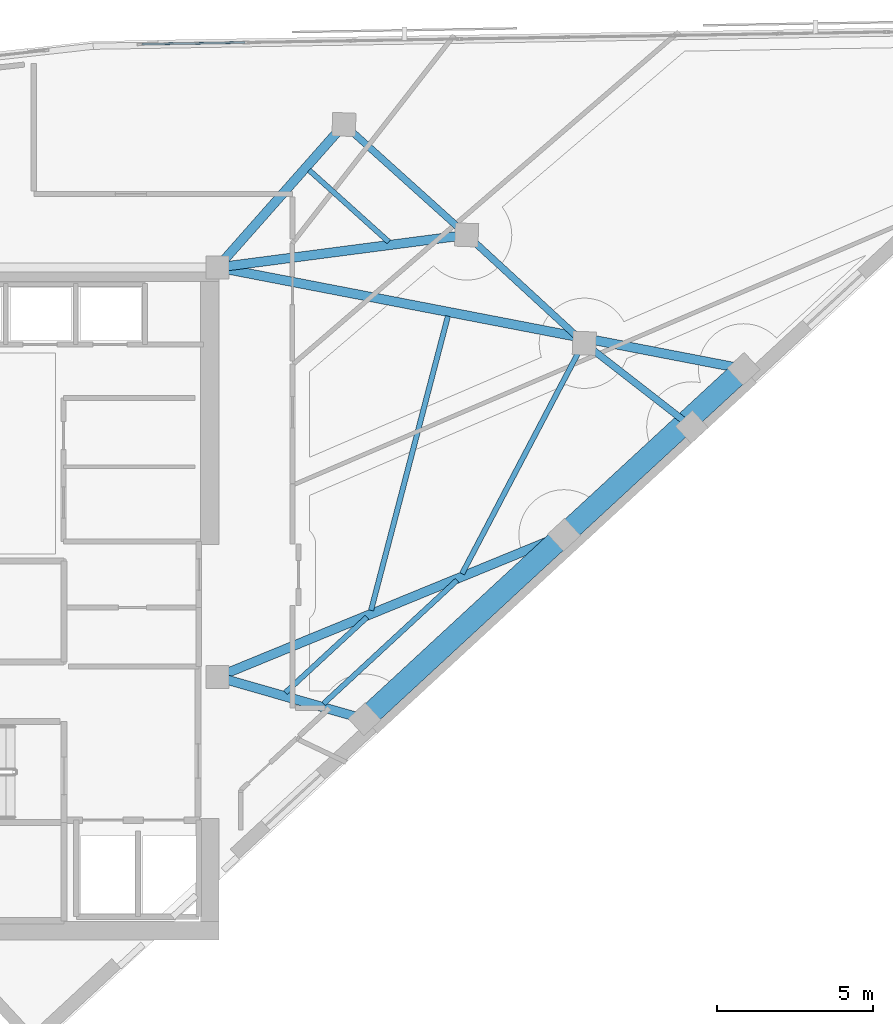
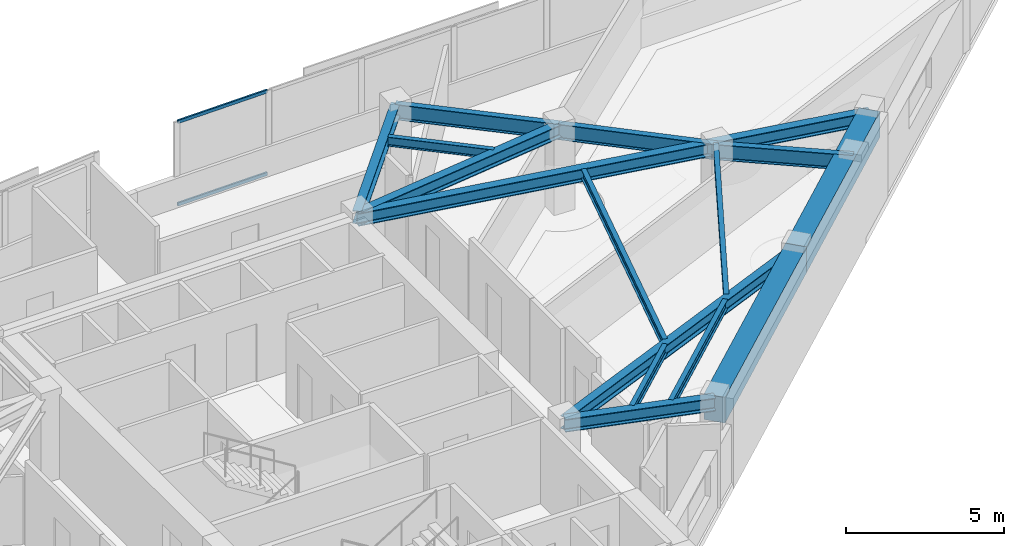
# One storey, part 4 of 13: 15 beams, 2 members, 1 element without a shape of its own.
"""IFC4 building model written with IfcOpenShell, lengths in metres."""

import ifcopenshell
import ifcopenshell.guid

model = None  # the IFC model being written
_history = None  # IfcOwnerHistory: only IFC2X3 demands one
_inside = {}  # id of a spatial element -> (the spatial element, [elements in it])
_under = {}  # id of a project, library or spatial element -> (it, [spatial elements below it])
_declared = {}  # id of a project -> (the project, [libraries it declares])
_typed = {}  # id of a type object -> (the type object, [elements of that type])
_made_of = {}  # id of a material, layer set ... -> (it, [elements and type objects made of it])


def new_model(schema):
    """Start an empty IFC model of exactly this schema.

    Asked for "IFC4X3", IfcOpenShell would pick the latest addendum, in which some entities
    have other attributes; the version numbers below select the first issue.
    IFC2X3 requires an IfcOwnerHistory on every rooted entity: one is made here for all.
    """
    global model, _history
    if schema == "IFC4X3":
        model = ifcopenshell.file(schema_version=(4, 3, 0, 0))
    else:
        model = ifcopenshell.file(schema=schema)
    _inside.clear()
    _under.clear()
    _declared.clear()
    _typed.clear()
    _made_of.clear()
    _history = None
    if model.schema == "IFC2X3":
        org = make("IfcOrganization", Name="unknown")
        user = make(
            "IfcPersonAndOrganization",
            ThePerson=make("IfcPerson", FamilyName="unknown"),
            TheOrganization=org,
        )
        app = make(
            "IfcApplication",
            ApplicationDeveloper=org,
            Version="unknown",
            ApplicationFullName="unknown",
            ApplicationIdentifier="unknown",
        )
        _history = make(
            "IfcOwnerHistory",
            OwningUser=user,
            OwningApplication=app,
            ChangeAction="ADDED",
            CreationDate=0,
        )
    return model


def make(cls, **values):
    """One entity of the class cls with the attributes given. An attribute that is None is left unset."""
    return model.create_entity(
        cls, **{name: value for name, value in values.items() if value is not None}
    )


def rooted(cls, **values):
    """An entity with a GlobalId (a new one), such as an element, a storey or a relation."""
    return make(cls, GlobalId=ifcopenshell.guid.new(), OwnerHistory=_history, **values)


def si_unit(unit_type, name, prefix=None):
    """IfcSIUnit, for example si_unit("LENGTHUNIT", "METRE", prefix="MILLI")."""
    return make("IfcSIUnit", UnitType=unit_type, Prefix=prefix, Name=name)


def assignment(units):
    """IfcUnitAssignment: the units of a project."""
    return None if units is None else make("IfcUnitAssignment", Units=units)


def point(xyz):
    """IfcCartesianPoint."""
    return None if xyz is None else make("IfcCartesianPoint", Coordinates=xyz)


def direction(xyz):
    """IfcDirection."""
    return None if xyz is None else make("IfcDirection", DirectionRatios=xyz)


def frame(location, z_axis=None, x_axis=None):
    """IfcAxis2Placement3D, a coordinate frame: its origin and axes. An axis left out is left unset."""
    return make(
        "IfcAxis2Placement3D",
        Location=point(location),
        Axis=direction(z_axis),
        RefDirection=direction(x_axis),
    )


def frame_2d(location, x_axis=None):
    """IfcAxis2Placement2D, a coordinate frame in the plane: its origin and x axis."""
    return make(
        "IfcAxis2Placement2D", Location=point(location), RefDirection=direction(x_axis)
    )


def origin():
    """The frame at (0, 0, 0) with its axes left unset."""
    return frame((0.0, 0.0, 0.0))


def origin_2d():
    """The frame at (0, 0) in the plane with its x axis left unset."""
    return frame_2d((0.0, 0.0))


def place(relative_to, where):
    """IfcLocalPlacement: puts the frame where relative to a parent placement (None: the world)."""
    return make(
        "IfcLocalPlacement", PlacementRelTo=relative_to, RelativePlacement=where
    )


def context(
    kind, dimensions, precision=None, world=None, true_north=None, identifier=None
):
    """IfcGeometricRepresentationContext, for example the 3D "Model" context."""
    return make(
        "IfcGeometricRepresentationContext",
        ContextIdentifier=identifier,
        ContextType=kind,
        CoordinateSpaceDimension=dimensions,
        Precision=precision,
        WorldCoordinateSystem=world,
        TrueNorth=true_north,
    )


def subcontext(parent, identifier, kind, view, scale=None):
    """IfcGeometricRepresentationSubContext, for example "Body" below "Model"."""
    return make(
        "IfcGeometricRepresentationSubContext",
        ContextIdentifier=identifier,
        ContextType=kind,
        ParentContext=parent,
        TargetScale=scale,
        TargetView=view,
    )


def project(units=None, contexts=None):
    """IfcProject with its units and contexts."""
    return rooted(
        "IfcProject",
        Name="project",
        RepresentationContexts=contexts,
        UnitsInContext=assignment(units),
    )


def spatial(cls, under=None, at=None, **own):
    """A site, building, storey or space (cls), placed at a placement, below another one or the project."""
    s = rooted(cls, ObjectPlacement=at, **own)
    if under is not None:
        _under.setdefault(under.id(), (under, []))[1].append(s)
    return s


def profile(cls, at=None, kind="AREA", **sizes):
    """A parametric profile (cls). Its sizes go by their IFC names, for example OverallWidth=200.0."""
    return make(cls, ProfileType=kind, Position=at, **sizes)


def rectangle(**sizes):
    """IfcRectangleProfileDef."""
    return profile("IfcRectangleProfileDef", **sizes)


def hollow_rectangle(**sizes):
    """IfcRectangleHollowProfileDef."""
    return profile("IfcRectangleHollowProfileDef", **sizes)


def i_section(**sizes):
    """IfcIShapeProfileDef."""
    return profile("IfcIShapeProfileDef", **sizes)


def extrude(swept, where, along, depth):
    """IfcExtrudedAreaSolid: the profile swept, set in the frame where, extruded along a direction by depth."""
    return make(
        "IfcExtrudedAreaSolid",
        SweptArea=swept,
        Position=where,
        ExtrudedDirection=direction(along),
        Depth=depth,
    )


def shape(context_of_items, identifier, shape_type, items):
    """IfcShapeRepresentation: the items that make up one representation, for example the "Body"."""
    return make(
        "IfcShapeRepresentation",
        ContextOfItems=context_of_items,
        RepresentationIdentifier=identifier,
        RepresentationType=shape_type,
        Items=items,
    )


def material(Name=None, Category=None):
    """IfcMaterial."""
    return make("IfcMaterial", Name=Name, Category=Category)


def material_profile(
    of_material, cross_section, Name=None, Category=None, Priority=None
):
    """IfcMaterialProfile: a cross section and its material."""
    return make(
        "IfcMaterialProfile",
        Name=Name,
        Material=of_material,
        Profile=cross_section,
        Priority=Priority,
        Category=Category,
    )


def profile_set(profiles, Name=None, composite=None):
    """IfcMaterialProfileSet."""
    return make(
        "IfcMaterialProfileSet",
        Name=Name,
        MaterialProfiles=profiles,
        CompositeProfile=composite,
    )


def made_of(thing, what):
    """Note that an element or type object is made of a material, layer set ...; save() writes the relation."""
    if what is not None:
        _made_of.setdefault(what.id(), (what, []))[1].append(thing)
    return thing


def type_object(cls, material=None, **own):
    """A type object (cls), such as IfcWallType, which elements share."""
    return made_of(rooted(cls, **own), material)


def element(
    cls,
    number,
    at=None,
    inside=None,
    cuts=None,
    type_object=None,
    material=None,
    context=None,
    identifier="Body",
    shape_type=None,
    held_by="IfcProductDefinitionShape",
    body=None,
    shapes=None,
    **own,
):
    """One element of the class cls, such as IfcWall. Its Tag is "e" and its number.

    at: its placement. inside: the storey or other place that contains it. cuts: it is an
    opening in that element (IfcRelVoidsElement). A single representation is given by context,
    identifier, shape_type and body (its items); several are given by shapes. held_by: the class
    of the entity that holds the representations. save() writes the other relations.
    """
    e = rooted(cls, Tag="e%d" % number, ObjectPlacement=at, **own)
    if body is not None:
        shapes = [shape(context, identifier, shape_type, body)]
    if shapes is not None:
        e.Representation = make(held_by, Representations=shapes)
    if inside is not None:
        _inside.setdefault(inside.id(), (inside, []))[1].append(e)
    if cuts is not None:
        rooted(
            "IfcRelVoidsElement", RelatingBuildingElement=cuts, RelatedOpeningElement=e
        )
    if type_object is not None:
        _typed.setdefault(type_object.id(), (type_object, []))[1].append(e)
    return made_of(e, material)


def aggregate(whole, parts):
    """IfcRelAggregates: a whole, such as a stair, and the parts it consists of."""
    return rooted("IfcRelAggregates", RelatingObject=whole, RelatedObjects=parts)


def save(model, path):
    """Write the relations noted so far, then the file.

    IfcRelAggregates (storeys below a building ...), IfcRelContainedInSpatialStructure (elements
    in a storey), IfcRelDefinesByType, IfcRelAssociatesMaterial and IfcRelDeclares: one each for
    every whole, place, type object, material and project.
    """
    for whole, parts in _under.values():
        aggregate(whole, parts)
    for where, things in _inside.values():
        rooted(
            "IfcRelContainedInSpatialStructure",
            RelatedElements=things,
            RelatingStructure=where,
        )
    for kind, things in _typed.values():
        rooted("IfcRelDefinesByType", RelatedObjects=things, RelatingType=kind)
    for what, things in _made_of.values():
        rooted("IfcRelAssociatesMaterial", RelatedObjects=things, RelatingMaterial=what)
    for by, libraries in _declared.values():
        rooted("IfcRelDeclares", RelatingContext=by, RelatedDefinitions=libraries)
    model.write(path)


model = new_model("IFC4")

# Units and contexts
model_context = context("Model", 3, precision=1e-05, world=origin(), true_north=direction((0.0, 1.0)))
body_context = subcontext(model_context, "Body", "Model", "MODEL_VIEW")
ifc_project = project(units=[si_unit("LENGTHUNIT", "METRE"), si_unit("AREAUNIT", "SQUARE_METRE"), si_unit("VOLUMEUNIT", "CUBIC_METRE"), si_unit("PLANEANGLEUNIT", "RADIAN"), si_unit("MASSUNIT", "GRAM", prefix="KILO")], contexts=[model_context])

# Site, building, storey
site_placement = place(None, origin())
site = spatial("IfcSite", under=ifc_project, at=site_placement, CompositionType="ELEMENT")
building_placement = place(site_placement, origin())
building = spatial("IfcBuilding", under=site, at=building_placement, Name="Narakoshi Arena Tower", CompositionType="ELEMENT")
storey_placement = place(building_placement, frame((0.0, 0.0, 264.260009765625)))
storey = spatial("IfcBuildingStorey", under=building, at=storey_placement, Name="L72", CompositionType="ELEMENT", Elevation=264.260009765625)

# Beams
ifc_material_1 = material(Name="Concrete C60/75", Category="concrete")
ifc_material_profile_1 = material_profile(ifc_material_1, rectangle(XDim=0.699951171875, YDim=1.0, at=origin_2d()), Name="RCB700x1000")
ifc_profile_set_1 = profile_set([ifc_material_profile_1], Name="Concrete C60/75")
beam_type_1 = type_object("IfcBeamType", Name="BM-CPL-1000", PredefinedType="BEAM", material=ifc_profile_set_1)
beam_1_placement = place(storey_placement, frame((90.2734375, 41.992919921875, 2.760009765625), z_axis=(0.734326819586, 0.678796082809, 0.0), x_axis=(-0.678796082809, 0.734326819586, 0.0)))
element("IfcBeam", 1, at=beam_1_placement, inside=storey, type_object=beam_type_1, Name="L72 Perimeter Edge Girder 01", PredefinedType="BEAM", context=body_context, shape_type="SweptSolid", body=[
    extrude(rectangle(XDim=0.699951171875, YDim=1.0, at=origin_2d()), origin(), (0.0, 0.0, 1.0), 8.72265625),
])
beam_2_placement = place(storey_placement, frame((96.6787109375, 47.913818359375, 2.760009765625), z_axis=(0.734333489286, 0.678788867405, 0.0), x_axis=(-0.678788867405, 0.734333489286, 0.0)))
element("IfcBeam", 2, at=beam_2_placement, inside=storey, type_object=beam_type_1, Name="L72 Perimeter Edge Girder 02", PredefinedType="BEAM", context=body_context, shape_type="SweptSolid", body=[
    extrude(rectangle(XDim=0.699951171875, YDim=1.0, at=origin_2d()), origin(), (0.0, 0.0, 1.0), 7.85009765625),
])
ifc_material_2 = material(Name="Structural steel S355J2", Category="steel")
ifc_material_profile_2 = material_profile(ifc_material_2, i_section(OverallWidth=0.219970703125, OverallDepth=0.60009765625, WebThickness=0.011962890625, FlangeThickness=0.01904296875, FilletRadius=0.02392578125, at=origin_2d()), Name="IPE600")
ifc_profile_set_2 = profile_set([ifc_material_profile_2], Name="Structural steel S355J2")
beam_type_2 = type_object("IfcBeamType", Name="BM-EDGE-600", PredefinedType="BEAM", material=ifc_profile_set_2)
beam_3_placement = place(storey_placement, frame((100.78173828125, 51.379638671875, 2.9599609375), z_axis=(-0.789307135535, 0.613998571491, 0.0), x_axis=(-0.613998571491, -0.789307135535, 0.0)))
element("IfcBeam", 3, at=beam_3_placement, inside=storey, type_object=beam_type_2, Name="L72 Perimeter Edge Girder 04", PredefinedType="BEAM", context=body_context, shape_type="SweptSolid", body=[
    extrude(i_section(OverallWidth=0.219970703125, OverallDepth=0.60009765625, WebThickness=0.011962890625, FlangeThickness=0.01904296875, FilletRadius=0.02392578125, at=origin_2d()), origin(), (0.0, 0.0, 1.0), 4.374267578125),
])
beam_4_placement = place(storey_placement, frame((97.3291015625, 54.0654296875, 2.9599609375), z_axis=(-0.735759504933, 0.677242903914, 0.0), x_axis=(-0.677242903914, -0.735759504933, 0.0)))
element("IfcBeam", 4, at=beam_4_placement, inside=storey, type_object=beam_type_2, Name="L72 Perimeter Edge Girder 05", PredefinedType="BEAM", context=body_context, shape_type="SweptSolid", body=[
    extrude(i_section(OverallWidth=0.219970703125, OverallDepth=0.60009765625, WebThickness=0.011962890625, FlangeThickness=0.01904296875, FilletRadius=0.02392578125, at=origin_2d()), origin(), (0.0, 0.0, 1.0), 5.135986328125),
])
beam_5_placement = place(storey_placement, frame((93.55029296875, 57.543701171875, 2.9599609375), z_axis=(-0.743147547665, 0.66912758305, 0.0), x_axis=(-0.66912758305, -0.743147547665, 0.0)))
element("IfcBeam", 5, at=beam_5_placement, inside=storey, type_object=beam_type_2, Name="L72 Perimeter Edge Girder 06", PredefinedType="BEAM", context=body_context, shape_type="SweptSolid", body=[
    extrude(i_section(OverallWidth=0.219970703125, OverallDepth=0.60009765625, WebThickness=0.011962890625, FlangeThickness=0.01904296875, FilletRadius=0.02392578125, at=origin_2d()), origin(), (0.0, 0.0, 1.0), 5.30029296875),
])
ifc_material_profile_3 = material_profile(ifc_material_2, i_section(OverallWidth=0.300048828125, OverallDepth=0.5, WebThickness=0.014404296875, FlangeThickness=0.028076171875, FilletRadius=0.027099609375, at=origin_2d()), Name="HE500B")
ifc_profile_set_3 = profile_set([ifc_material_profile_3], Name="Structural steel S355J2")
beam_type_3 = type_object("IfcBeamType", Name="BM-PRI-500", PredefinedType="BEAM", material=ifc_profile_set_3)
beam_6_placement = place(storey_placement, frame((85.550048828125, 43.35009765625, 3.010009765625), z_axis=(0.961112330887, -0.276157721993, 0.0), x_axis=(0.276157721993, 0.961112330887, 0.0)))
element("IfcBeam", 6, at=beam_6_placement, inside=storey, type_object=beam_type_3, Name="L72 Radial Primary Floor Girder 01", PredefinedType="BEAM", context=body_context, shape_type="SweptSolid", body=[
    extrude(i_section(OverallWidth=0.300048828125, OverallDepth=0.5, WebThickness=0.014404296875, FlangeThickness=0.028076171875, FilletRadius=0.027099609375, at=origin_2d()), origin(), (0.0, 0.0, 1.0), 4.91455078125),
])
beam_7_placement = place(storey_placement, frame((85.550048828125, 43.35009765625, 3.010009765625), z_axis=(0.925223618811, 0.379422265021, 0.0), x_axis=(-0.379422265021, 0.925223618811, 0.0)))
element("IfcBeam", 7, at=beam_7_placement, inside=storey, type_object=beam_type_3, Name="L72 Radial Primary Floor Girder 02", PredefinedType="BEAM", context=body_context, shape_type="SweptSolid", body=[
    extrude(i_section(OverallWidth=0.300048828125, OverallDepth=0.5, WebThickness=0.014404296875, FlangeThickness=0.028076171875, FilletRadius=0.027099609375, at=origin_2d()), origin(), (0.0, 0.0, 1.0), 12.028076171875),
])
beam_8_placement = place(storey_placement, frame((85.550048828125, 56.5, 3.010009765625), z_axis=(0.98191087483, -0.189343692505, 0.0), x_axis=(0.189343692505, 0.98191087483, 0.0)))
element("IfcBeam", 8, at=beam_8_placement, inside=storey, type_object=beam_type_3, Name="L72 Radial Primary Floor Girder 03", PredefinedType="BEAM", context=body_context, shape_type="SweptSolid", body=[
    extrude(i_section(OverallWidth=0.300048828125, OverallDepth=0.5, WebThickness=0.014404296875, FlangeThickness=0.028076171875, FilletRadius=0.027099609375, at=origin_2d()), origin(), (0.0, 0.0, 1.0), 17.20458984375),
])
beam_9_placement = place(storey_placement, frame((85.550048828125, 56.5, 3.010009765625), z_axis=(0.991597373641, 0.129362469783, 0.0), x_axis=(-0.129362469783, 0.991597373641, 0.0)))
element("IfcBeam", 9, at=beam_9_placement, inside=storey, type_object=beam_type_3, Name="L72 Radial Primary Floor Girder 06", PredefinedType="BEAM", context=body_context, shape_type="SweptSolid", body=[
    extrude(i_section(OverallWidth=0.300048828125, OverallDepth=0.5, WebThickness=0.014404296875, FlangeThickness=0.028076171875, FilletRadius=0.027099609375, at=origin_2d()), origin(), (0.0, 0.0, 1.0), 8.068115234375),
])
beam_10_placement = place(storey_placement, frame((85.550048828125, 56.5, 3.010009765625), z_axis=(0.662628886894, 0.748947900894, 0.0), x_axis=(-0.748947900894, 0.662628886894, 0.0)))
element("IfcBeam", 10, at=beam_10_placement, inside=storey, type_object=beam_type_3, Name="L72 Radial Primary Floor Girder 07", PredefinedType="BEAM", context=body_context, shape_type="SweptSolid", body=[
    extrude(i_section(OverallWidth=0.300048828125, OverallDepth=0.5, WebThickness=0.014404296875, FlangeThickness=0.028076171875, FilletRadius=0.027099609375, at=origin_2d()), origin(), (0.0, 0.0, 1.0), 6.129150390625),
])
ifc_material_profile_4 = material_profile(ifc_material_2, i_section(OverallWidth=0.169921875, OverallDepth=0.360107421875, WebThickness=0.008056640625, FlangeThickness=0.0126953125, FilletRadius=0.01806640625, at=origin_2d()), Name="IPE360")
ifc_profile_set_4 = profile_set([ifc_material_profile_4], Name="Structural steel S355J2")
beam_type_4 = type_object("IfcBeamType", Name="BM-SEC-360", PredefinedType="JOIST", material=ifc_profile_set_4)
beam_11_placement = place(storey_placement, frame((87.7275390625, 42.844482421875, 3.080078125), z_axis=(0.734310037917, 0.678814236897, 0.0), x_axis=(-0.678814236897, 0.734310037917, 0.0)))
element("IfcBeam", 11, at=beam_11_placement, inside=storey, type_object=beam_type_4, Name="L72 Composite Secondary Floor Joist 01", PredefinedType="JOIST", context=body_context, shape_type="SweptSolid", body=[
    extrude(i_section(OverallWidth=0.169921875, OverallDepth=0.360107421875, WebThickness=0.008056640625, FlangeThickness=0.0126953125, FilletRadius=0.01806640625, at=origin_2d()), origin(), (0.0, 0.0, 1.0), 3.56787109375),
])
beam_12_placement = place(storey_placement, frame((88.95556640625, 42.49169921875, 3.080078125), z_axis=(0.734339740284, 0.678782104832, 0.0), x_axis=(-0.678782104832, 0.734339740284, 0.0)))
element("IfcBeam", 12, at=beam_12_placement, inside=storey, type_object=beam_type_4, Name="L72 Composite Secondary Floor Joist 02", PredefinedType="JOIST", context=body_context, shape_type="SweptSolid", body=[
    extrude(i_section(OverallWidth=0.169921875, OverallDepth=0.360107421875, WebThickness=0.008056640625, FlangeThickness=0.0126953125, FilletRadius=0.01806640625, at=origin_2d()), origin(), (0.0, 0.0, 1.0), 5.835693359375),
])
beam_13_placement = place(storey_placement, frame((90.480712890625, 45.48876953125, 3.080078125), z_axis=(0.252782191018, 0.967523211042, 0.0), x_axis=(-0.967523211042, 0.252782191018, 0.0)))
element("IfcBeam", 13, at=beam_13_placement, inside=storey, type_object=beam_type_4, Name="L72 Composite Secondary Floor Joist 03", PredefinedType="JOIST", context=body_context, shape_type="SweptSolid", body=[
    extrude(i_section(OverallWidth=0.169921875, OverallDepth=0.360107421875, WebThickness=0.008056640625, FlangeThickness=0.0126953125, FilletRadius=0.01806640625, at=origin_2d()), origin(), (0.0, 0.0, 1.0), 9.764404296875),
])
beam_14_placement = place(storey_placement, frame((93.40283203125, 46.664306640625, 3.080078125), z_axis=(0.465370309963, 0.885116079734, 0.0), x_axis=(-0.885116079734, 0.465370309963, 0.0)))
element("IfcBeam", 14, at=beam_14_placement, inside=storey, type_object=beam_type_4, Name="L72 Composite Secondary Floor Joist 04", PredefinedType="JOIST", context=body_context, shape_type="SweptSolid", body=[
    extrude(i_section(OverallWidth=0.169921875, OverallDepth=0.360107421875, WebThickness=0.008056640625, FlangeThickness=0.0126953125, FilletRadius=0.01806640625, at=origin_2d()), origin(), (0.0, 0.0, 1.0), 8.401123046875),
])
beam_15_placement = place(storey_placement, frame((91.050048828125, 57.32080078125, 3.080078125), z_axis=(-0.743145924769, 0.66912938547, 0.0), x_axis=(-0.66912938547, -0.743145924769, 0.0)))
element("IfcBeam", 15, at=beam_15_placement, inside=storey, type_object=beam_type_4, Name="L72 Composite Secondary Floor Joist 05", PredefinedType="JOIST", context=body_context, shape_type="SweptSolid", body=[
    extrude(i_section(OverallWidth=0.169921875, OverallDepth=0.360107421875, WebThickness=0.008056640625, FlangeThickness=0.0126953125, FilletRadius=0.01806640625, at=origin_2d()), origin(), (0.0, 0.0, 1.0), 3.440185546875),
])

# Curtain wall, members
ifc_material_3 = material(Name="Anodised bronze aluminium 6063-T6", Category="aluminium")
curtain_wall_type = type_object("IfcCurtainWallType", Name="CW-HYP-HIGH", PredefinedType="NOTDEFINED", material=ifc_material_3)
curtain_wall_placement = place(storey_placement, origin())
curtain_wall = element("IfcCurtainWall", 16, at=curtain_wall_placement, inside=storey, type_object=curtain_wall_type, Name="L72 Folded Hypotenuse Curtain Wall 1-1", PredefinedType="NOTDEFINED")
ifc_material_profile_5 = material_profile(ifc_material_3, hollow_rectangle(XDim=0.06494140625, YDim=0.1298828125, WallThickness=0.00390625, OuterFilletRadius=0.0048828125, at=origin_2d()), Name="TRN130x65x4")
ifc_profile_set_5 = profile_set([ifc_material_profile_5], Name="Anodised bronze aluminium 6063-T6")
member_type = type_object("IfcMemberType", Name="MEM-TRN-130", PredefinedType="USERDEFINED", material=ifc_profile_set_5)
member_1_placement = place(storey_placement, frame((86.427978515625, 63.72314453125, 0.032470703125), z_axis=(-0.999864541825, -0.016458979318, 0.0), x_axis=(0.016458979318, -0.999864541825, 0.0)))
member_1 = element("IfcMember", 17, at=member_1_placement, type_object=member_type, Name="CW-03 transom 8.1", ObjectType="TRANSOM", PredefinedType="USERDEFINED", context=body_context, shape_type="SweptSolid", body=[
    extrude(hollow_rectangle(XDim=0.06494140625, YDim=0.1298828125, WallThickness=0.00390625, OuterFilletRadius=0.0048828125, at=origin_2d()), origin(), (0.0, 0.0, 1.0), 3.307861328125),
])
member_2_placement = place(storey_placement, frame((86.427978515625, 63.72314453125, 3.2275390625), z_axis=(-0.999864541825, -0.016458979318, 0.0), x_axis=(0.016458979318, -0.999864541825, 0.0)))
member_2 = element("IfcMember", 18, at=member_2_placement, type_object=member_type, Name="CW-03 transom 8.2", ObjectType="TRANSOM", PredefinedType="USERDEFINED", context=body_context, shape_type="SweptSolid", body=[
    extrude(hollow_rectangle(XDim=0.06494140625, YDim=0.1298828125, WallThickness=0.00390625, OuterFilletRadius=0.0048828125, at=origin_2d()), origin(), (0.0, 0.0, 1.0), 3.307861328125),
])
aggregate(curtain_wall, [member_1, member_2])

save(model, "model.ifc")
